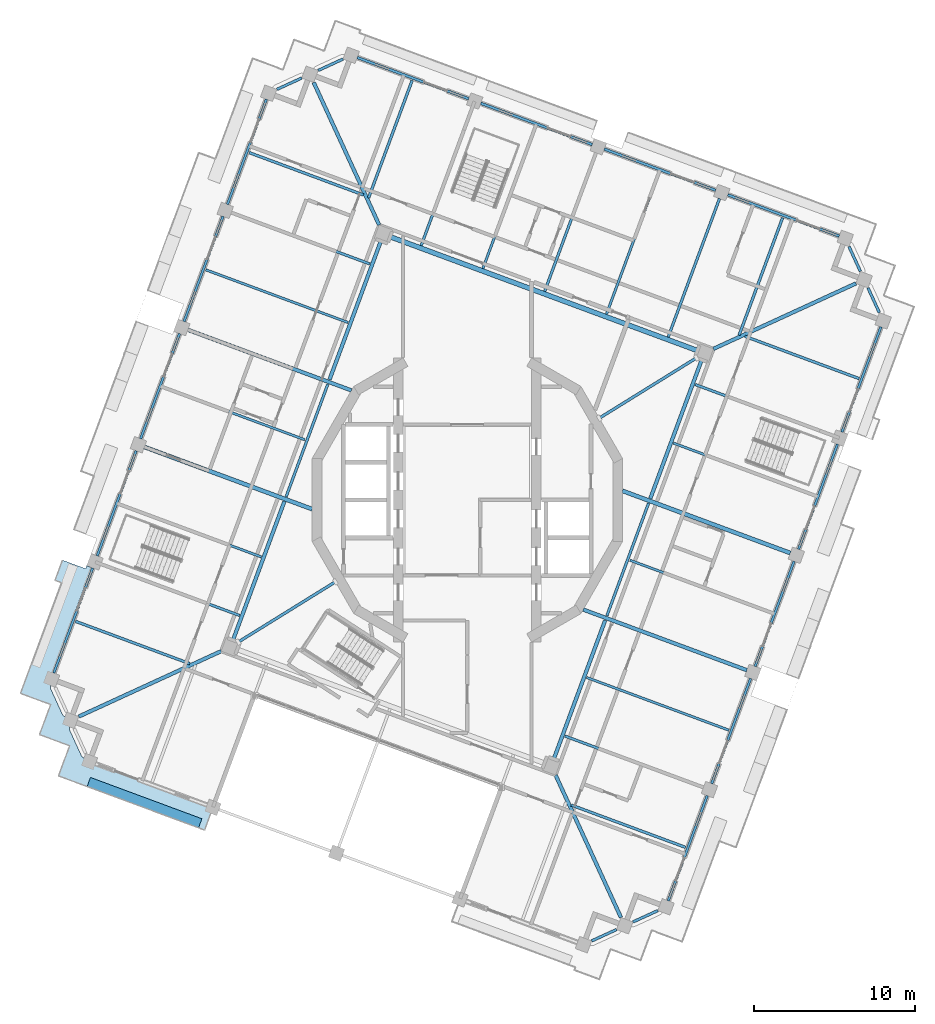
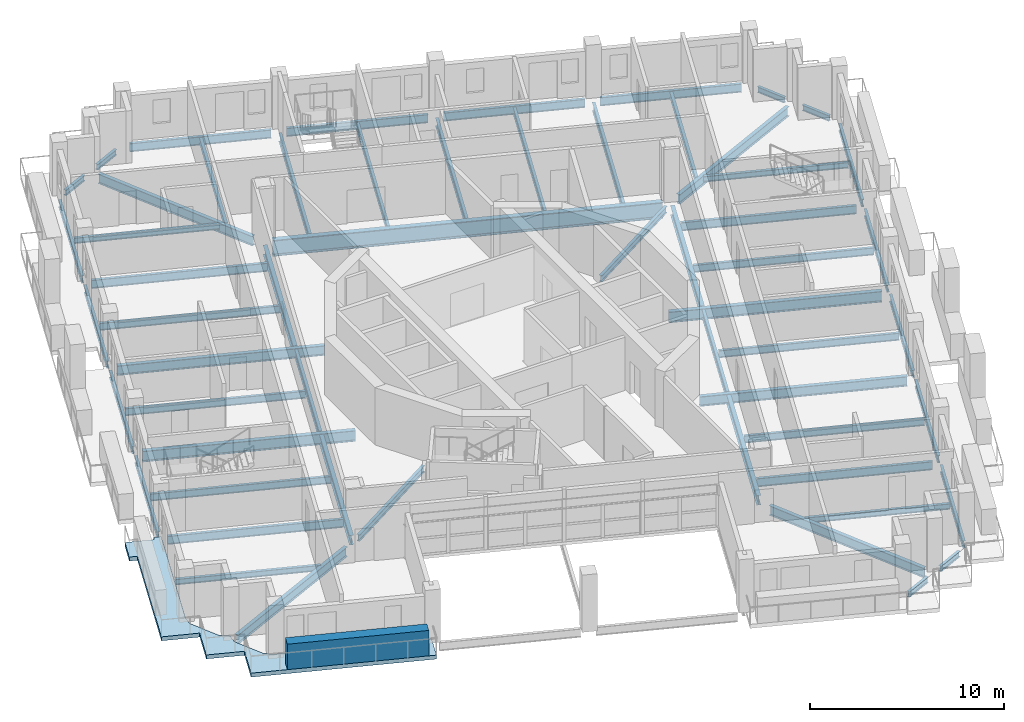
# One storey, part 3 of 19: 58 beams, 1 plate, 1 slab.
"""IFC4 building model written with IfcOpenShell, lengths in metres."""

from ifc_helpers import new_model, si_unit, direction, frame, origin, origin_2d, place, context, subcontext, project, spatial, polyline, rectangle, i_section, outline, extrude, material, layer, layer_set, material_profile, profile_set, type_object, element, save


model = new_model("IFC4")

# Units and contexts
model_context = context("Model", 3, precision=1e-05, world=origin(), true_north=direction((0.0, 1.0)))
body_context = subcontext(model_context, "Body", "Model", "MODEL_VIEW")
ifc_project = project(units=[si_unit("LENGTHUNIT", "METRE"), si_unit("AREAUNIT", "SQUARE_METRE"), si_unit("VOLUMEUNIT", "CUBIC_METRE"), si_unit("PLANEANGLEUNIT", "RADIAN"), si_unit("MASSUNIT", "GRAM", prefix="KILO")], contexts=[model_context])

# Site, building, storey
site_placement = place(None, origin())
site = spatial("IfcSite", under=ifc_project, at=site_placement, CompositionType="ELEMENT")
building_placement = place(site_placement, origin())
building = spatial("IfcBuilding", under=site, at=building_placement, Name="Cantera Rosa Tower", CompositionType="ELEMENT")
storey_placement = place(building_placement, frame((0.0, 0.0, 324.10009765625)))
storey = spatial("IfcBuildingStorey", under=building, at=storey_placement, Name="L72", CompositionType="ELEMENT", Elevation=324.10009765625)

# Beams
ifc_material_1 = material(Name="Steel ASTM A992 (Fy 345 MPa)", Category="steel")
ifc_material_profile_1 = material_profile(ifc_material_1, i_section(OverallWidth=0.302001953125, OverallDepth=1.010009765625, WebThickness=0.02099609375, FlangeThickness=0.0400390625, FilletRadius=0.030029296875, at=origin_2d()), Name="W1000X350")
ifc_profile_set_1 = profile_set([ifc_material_profile_1], Name="Steel ASTM A992 (Fy 345 MPa)")
beam_type_1 = type_object("IfcBeamType", Name="STEEL BEAM W1000X350", PredefinedType="BEAM", material=ifc_profile_set_1)
beam_1_placement = place(storey_placement, frame((14.324951171875, 9.302001953125, -0.755126953125), z_axis=(-0.937687392162, 0.347480006017, 0.0), x_axis=(-0.347480006017, -0.937687392162, 0.0)))
element("IfcBeam", 1, at=beam_1_placement, inside=storey, type_object=beam_type_1, Name="RB-Z6-07 L72", PredefinedType="BEAM", context=body_context, shape_type="SweptSolid", body=[
    extrude(i_section(OverallWidth=0.302001953125, OverallDepth=1.010009765625, WebThickness=0.02099609375, FlangeThickness=0.0400390625, FilletRadius=0.030029296875, at=origin_2d()), origin(), (0.0, 0.0, 1.0), 20.400146484375),
])
ifc_material_2 = material(Name="Steel ASTM A992 (Fy 345 MPa)", Category="steel")
ifc_material_profile_2 = material_profile(ifc_material_2, i_section(OverallWidth=0.177978515625, OverallDepth=0.406005859375, WebThickness=0.0078125, FlangeThickness=0.0126953125, FilletRadius=0.01025390625, at=origin_2d()), Name="W410X60")
ifc_profile_set_2 = profile_set([ifc_material_profile_2], Name="Steel ASTM A992 (Fy 345 MPa)")
beam_type_2 = type_object("IfcBeamType", Name="STEEL BEAM W410X60", PredefinedType="BEAM", material=ifc_profile_set_2)
for number, where, z_axis, x_axis, name in (
    (2, (-14.262451171875, -8.84521484375, -0.453125), (0.849840939707, 0.527039255841, 0.0), (-0.527039255841, 0.849840939707, 0.0), "PG-Z6-01 L72"),
    (3, (14.262451171875, 8.84521484375, -0.453125), (-0.849840939707, -0.527039255841, 0.0), (0.527039255841, -0.849840939707, 0.0), "PG-Z6-02 L72"),
):
    element("IfcBeam", number, at=place(storey_placement, frame(where, z_axis=z_axis, x_axis=x_axis)), inside=storey, type_object=beam_type_2, Name=name, PredefinedType="BEAM", context=body_context, shape_type="SweptSolid", body=[
        extrude(i_section(OverallWidth=0.177978515625, OverallDepth=0.406005859375, WebThickness=0.0078125, FlangeThickness=0.0126953125, FilletRadius=0.01025390625, at=origin_2d()), origin(), (0.0, 0.0, 1.0), 7.118408203125),
    ])
ifc_material_3 = material(Name="Steel ASTM A992 (Fy 345 MPa)", Category="steel")
ifc_material_profile_3 = material_profile(ifc_material_3, i_section(OverallWidth=0.166015625, OverallDepth=0.528076171875, WebThickness=0.009765625, FlangeThickness=0.013671875, FilletRadius=0.0126953125, at=origin_2d()), Name="W530X74")
ifc_profile_set_3 = profile_set([ifc_material_profile_3], Name="Steel ASTM A992 (Fy 345 MPa)")
beam_type_3 = type_object("IfcBeamType", Name="STEEL BEAM W530X74", PredefinedType="BEAM", material=ifc_profile_set_3)
for number, where, z_axis, x_axis, name in (
    (4, (15.698486328125, 18.764404296875, -0.51416015625), (-0.347476838353, -0.937688566, 0.0), (0.937688566, -0.347476838353, 0.0), "G-Z6-01 L72"),
    (5, (8.009521484375, 21.61376953125, -0.51416015625), (-0.34750017104, -0.937679919337, 0.0), (0.937679919337, -0.34750017104, 0.0), "G-Z6-02 L72"),
    (6, (0.3203125, 24.463134765625, -0.51416015625), (-0.347476838353, -0.937688566, 0.0), (0.937688566, -0.347476838353, 0.0), "G-Z6-03 L72"),
    (7, (-14.69873046875, 17.892333984375, -0.51416015625), (0.937688566, -0.347476838353, 0.0), (0.347476838353, 0.937688566, 0.0), "G-Z6-04 L72"),
    (8, (-22.808837890625, -3.9931640625, -0.51416015625), (0.937688566, -0.347476838353, 0.0), (0.347476838353, 0.937688566, 0.0), "G-Z6-07 L72"),
    (9, (14.69873046875, -17.892333984375, -0.51416015625), (-0.937688566, 0.347476838353, 0.0), (-0.347476838353, -0.937688566, 0.0), "G-Z6-08 L72"),
    (10, (22.808837890625, 3.9931640625, -0.51416015625), (-0.937688566, 0.347476838353, 0.0), (-0.347476838353, -0.937688566, 0.0), "G-Z6-11 L72"),
):
    element("IfcBeam", number, at=place(storey_placement, frame(where, z_axis=z_axis, x_axis=x_axis)), inside=storey, type_object=beam_type_3, Name=name, PredefinedType="BEAM", context=body_context, shape_type="SweptSolid", body=[
        extrude(i_section(OverallWidth=0.166015625, OverallDepth=0.528076171875, WebThickness=0.009765625, FlangeThickness=0.013671875, FilletRadius=0.0126953125, at=origin_2d()), origin(), (0.0, 0.0, 1.0), 9.199951171875),
    ])
for number, where, z_axis, x_axis, name in (
    (11, (-11.285888671875, 0.19384765625, -0.51416015625), (0.347486566882, 0.937684960867, 0.0), (-0.937684960867, 0.347486566882, 0.0), "RB-Z6-02 L72"),
    (12, (8.686767578125, -7.20751953125, -0.51416015625), (0.347486566882, 0.937684960867, 0.0), (-0.937684960867, 0.347486566882, 0.0), "RB-Z6-05 L72"),
):
    element("IfcBeam", number, at=place(storey_placement, frame(where, z_axis=z_axis, x_axis=x_axis)), inside=storey, type_object=beam_type_3, Name=name, PredefinedType="BEAM", context=body_context, shape_type="SweptSolid", body=[
        extrude(i_section(OverallWidth=0.166015625, OverallDepth=0.528076171875, WebThickness=0.009765625, FlangeThickness=0.013671875, FilletRadius=0.0126953125, at=origin_2d()), origin(), (0.0, 0.0, 1.0), 7.479736328125),
    ])
ifc_material_4 = material(Name="Steel ASTM A992 (Fy 345 MPa)", Category="steel")
ifc_material_profile_4 = material_profile(ifc_material_4, i_section(OverallWidth=0.22802734375, OverallDepth=0.60205078125, WebThickness=0.010498046875, FlangeThickness=0.014892578125, FilletRadius=0.0126953125, at=origin_2d()), Name="W610X101")
ifc_profile_set_4 = profile_set([ifc_material_profile_4], Name="Steel ASTM A992 (Fy 345 MPa)")
beam_type_4 = type_object("IfcBeamType", Name="STEEL BEAM W610X101", PredefinedType="BEAM", material=ifc_profile_set_4)
for number, where, z_axis, x_axis, name in (
    (13, (-9.56396484375, 25.992919921875, -0.551025390625), (0.417345508131, -0.908747889595, 0.0), (0.908747889595, 0.417345508131, 0.0), "CB-Z6-01 L72"),
    (14, (-24.19287109375, -13.483642578125, -0.551025390625), (0.908747889595, 0.417345508131, 0.0), (-0.417345508131, 0.908747889595, 0.0), "CB-Z6-02 L72"),
    (15, (9.56396484375, -25.992919921875, -0.551025390625), (-0.417345508131, 0.908747889595, 0.0), (-0.908747889595, -0.417345508131, 0.0), "CB-Z6-03 L72"),
    (16, (24.19287109375, 13.483642578125, -0.551025390625), (-0.908747889595, -0.417345508131, 0.0), (0.417345508131, -0.908747889595, 0.0), "CB-Z6-04 L72"),
):
    element("IfcBeam", number, at=place(storey_placement, frame(where, z_axis=z_axis, x_axis=x_axis)), inside=storey, type_object=beam_type_4, Name=name, PredefinedType="BEAM", context=body_context, shape_type="SweptSolid", body=[
        extrude(i_section(OverallWidth=0.22802734375, OverallDepth=0.60205078125, WebThickness=0.010498046875, FlangeThickness=0.014892578125, FilletRadius=0.0126953125, at=origin_2d()), origin(), (0.0, 0.0, 1.0), 9.758056640625),
    ])
for number, where, z_axis, x_axis, name in (
    (17, (-14.590576171875, -8.7236328125, -0.551025390625), (0.347498244979, 0.937680633125, 0.0), (-0.937680633125, 0.347498244979, 0.0), "RB-Z6-01 L72"),
    (18, (-8.58251953125, 7.489013671875, -0.551025390625), (0.347474937304, 0.937689270465, 0.0), (-0.937689270465, 0.347474937304, 0.0), "RB-Z6-03 L72"),
    (19, (5.38232421875, -16.125, -0.551025390625), (0.347474937304, 0.937689270465, 0.0), (-0.937689270465, 0.347474937304, 0.0), "RB-Z6-04 L72"),
    (20, (11.39013671875, 0.087646484375, -0.551025390625), (0.347498244979, 0.937680633125, 0.0), (-0.937680633125, 0.347498244979, 0.0), "RB-Z6-06 L72"),
):
    element("IfcBeam", number, at=place(storey_placement, frame(where, z_axis=z_axis, x_axis=x_axis)), inside=storey, type_object=beam_type_4, Name=name, PredefinedType="BEAM", context=body_context, shape_type="SweptSolid", body=[
        extrude(i_section(OverallWidth=0.22802734375, OverallDepth=0.60205078125, WebThickness=0.010498046875, FlangeThickness=0.014892578125, FilletRadius=0.0126953125, at=origin_2d()), origin(), (0.0, 0.0, 1.0), 9.2099609375),
    ])
ifc_material_5 = material(Name="Steel ASTM A992 (Fy 345 MPa)", Category="steel")
ifc_material_profile_5 = material_profile(ifc_material_5, i_section(OverallWidth=0.22900390625, OverallDepth=0.612060546875, WebThickness=0.011962890625, FlangeThickness=0.01953125, FilletRadius=0.0126953125, at=origin_2d()), Name="W610X125")
ifc_profile_set_5 = profile_set([ifc_material_profile_5], Name="Steel ASTM A992 (Fy 345 MPa)")
beam_type_5 = type_object("IfcBeamType", Name="STEEL BEAM W610X125", PredefinedType="BEAM", material=ifc_profile_set_5)
for number, where, z_axis, x_axis, name in (
    (21, (-17.402099609375, 10.59716796875, -0.55615234375), (0.937686127687, -0.347483418229, 0.0), (0.347483418229, 0.937686127687, 0.0), "G-Z6-05 L72"),
    (22, (17.402099609375, -10.59716796875, -0.55615234375), (-0.937686127687, 0.347483418229, 0.0), (-0.347483418229, -0.937686127687, 0.0), "G-Z6-09 L72"),
):
    element("IfcBeam", number, at=place(storey_placement, frame(where, z_axis=z_axis, x_axis=x_axis)), inside=storey, type_object=beam_type_5, Name=name, PredefinedType="BEAM", context=body_context, shape_type="SweptSolid", body=[
        extrude(i_section(OverallWidth=0.22900390625, OverallDepth=0.612060546875, WebThickness=0.011962890625, FlangeThickness=0.01953125, FilletRadius=0.0126953125, at=origin_2d()), origin(), (0.0, 0.0, 1.0), 10.8642578125),
    ])
ifc_material_6 = material(Name="Steel ASTM A992 (Fy 345 MPa)", Category="steel")
ifc_material_profile_6 = material_profile(ifc_material_6, i_section(OverallWidth=0.25390625, OverallDepth=0.677978515625, WebThickness=0.01171875, FlangeThickness=0.016357421875, FilletRadius=0.01513671875, at=origin_2d()), Name="W690X125")
ifc_profile_set_6 = profile_set([ifc_material_profile_6], Name="Steel ASTM A992 (Fy 345 MPa)")
beam_type_6 = type_object("IfcBeamType", Name="STEEL BEAM W690X125", PredefinedType="BEAM", material=ifc_profile_set_6)
for number, where, z_axis, x_axis, name in (
    (23, (-20.10546875, 3.302001953125, -0.589111328125), (0.937687416585, -0.347479940109, 0.0), (0.347479940109, 0.937687416585, 0.0), "G-Z6-06 L72"),
    (24, (20.10546875, -3.302001953125, -0.589111328125), (-0.937687416585, 0.347479940109, 0.0), (-0.347479940109, -0.937687416585, 0.0), "G-Z6-10 L72"),
):
    element("IfcBeam", number, at=place(storey_placement, frame(where, z_axis=z_axis, x_axis=x_axis)), inside=storey, type_object=beam_type_6, Name=name, PredefinedType="BEAM", context=body_context, shape_type="SweptSolid", body=[
        extrude(i_section(OverallWidth=0.25390625, OverallDepth=0.677978515625, WebThickness=0.01171875, FlangeThickness=0.016357421875, FilletRadius=0.01513671875, at=origin_2d()), origin(), (0.0, 0.0, 1.0), 11.140380859375),
    ])
ifc_material_7 = material(Name="Steel ASTM A992 (Fy 345 MPa)", Category="steel")
ifc_material_profile_7 = material_profile(ifc_material_7, i_section(OverallWidth=0.1708984375, OverallDepth=0.35595703125, WebThickness=0.00732421875, FlangeThickness=0.01171875, FilletRadius=0.010009765625, at=origin_2d()), Name="W360X51")
ifc_profile_set_7 = profile_set([ifc_material_profile_7], Name="Steel ASTM A992 (Fy 345 MPa)")
beam_type_7 = type_object("IfcBeamType", Name="STEEL JOIST W360X51", PredefinedType="JOIST", material=ifc_profile_set_7)
for number, where, z_axis, x_axis, name in (
    (25, (19.6298828125, 17.573974609375, -0.427978515625), (-0.347491728417, -0.937683048093, 0.0), (0.937683048093, -0.347491728417, 0.0), "B-Z6-01 L72"),
    (26, (-3.437255859375, 26.1220703125, -0.427978515625), (-0.347491728417, -0.937683048093, 0.0), (0.937683048093, -0.347491728417, 0.0), "B-Z6-04 L72"),
):
    element("IfcBeam", number, at=place(storey_placement, frame(where, z_axis=z_axis, x_axis=x_axis)), inside=storey, type_object=beam_type_7, Name=name, PredefinedType="JOIST", context=body_context, shape_type="SweptSolid", body=[
        extrude(i_section(OverallWidth=0.1708984375, OverallDepth=0.35595703125, WebThickness=0.00732421875, FlangeThickness=0.01171875, FilletRadius=0.010009765625, at=origin_2d()), origin(), (0.0, 0.0, 1.0), 7.800048828125),
    ])
beam_2_placement = place(storey_placement, frame((-13.581298828125, 21.626953125, -0.427978515625), z_axis=(0.93768239316, -0.347493495705, 0.0), x_axis=(0.347493495705, 0.93768239316, 0.0)))
element("IfcBeam", 27, at=beam_2_placement, inside=storey, type_object=beam_type_7, Name="B-Z6-05 L72", PredefinedType="JOIST", context=body_context, shape_type="SweptSolid", body=[
    extrude(i_section(OverallWidth=0.1708984375, OverallDepth=0.35595703125, WebThickness=0.00732421875, FlangeThickness=0.01171875, FilletRadius=0.010009765625, at=origin_2d()), origin(), (0.0, 0.0, 1.0), 7.58984375),
])
beam_3_placement = place(storey_placement, frame((-24.39501953125, -7.553955078125, -0.427978515625), z_axis=(0.937686277131, -0.347483014951, 0.0), x_axis=(0.347483014951, 0.937686277131, 0.0)))
element("IfcBeam", 28, at=beam_3_placement, inside=storey, type_object=beam_type_7, Name="B-Z6-09 L72", PredefinedType="JOIST", context=body_context, shape_type="SweptSolid", body=[
    extrude(i_section(OverallWidth=0.1708984375, OverallDepth=0.35595703125, WebThickness=0.00732421875, FlangeThickness=0.01171875, FilletRadius=0.010009765625, at=origin_2d()), origin(), (0.0, 0.0, 1.0), 7.590087890625),
])
beam_4_placement = place(storey_placement, frame((13.581298828125, -21.626953125, -0.427978515625), z_axis=(-0.93768239316, 0.347493495705, 0.0), x_axis=(-0.347493495705, -0.93768239316, 0.0)))
element("IfcBeam", 29, at=beam_4_placement, inside=storey, type_object=beam_type_7, Name="B-Z6-10 L72", PredefinedType="JOIST", context=body_context, shape_type="SweptSolid", body=[
    extrude(i_section(OverallWidth=0.1708984375, OverallDepth=0.35595703125, WebThickness=0.00732421875, FlangeThickness=0.01171875, FilletRadius=0.010009765625, at=origin_2d()), origin(), (0.0, 0.0, 1.0), 7.58984375),
])
beam_5_placement = place(storey_placement, frame((24.39501953125, 7.553955078125, -0.427978515625), z_axis=(-0.937686277131, 0.347483014951, 0.0), x_axis=(-0.347483014951, -0.937686277131, 0.0)))
element("IfcBeam", 30, at=beam_5_placement, inside=storey, type_object=beam_type_7, Name="B-Z6-14 L72", PredefinedType="JOIST", context=body_context, shape_type="SweptSolid", body=[
    extrude(i_section(OverallWidth=0.1708984375, OverallDepth=0.35595703125, WebThickness=0.00732421875, FlangeThickness=0.01171875, FilletRadius=0.010009765625, at=origin_2d()), origin(), (0.0, 0.0, 1.0), 7.590087890625),
])
ifc_material_8 = material(Name="Steel ASTM A992 (Fy 345 MPa)", Category="steel")
ifc_material_profile_8 = material_profile(ifc_material_8, i_section(OverallWidth=0.154052734375, OverallDepth=0.4599609375, WebThickness=0.009033203125, FlangeThickness=0.015380859375, FilletRadius=0.01025390625, at=origin_2d()), Name="W460X68")
ifc_profile_set_8 = profile_set([ifc_material_profile_8], Name="Steel ASTM A992 (Fy 345 MPa)")
beam_type_8 = type_object("IfcBeamType", Name="STEEL JOIST W460X68", PredefinedType="JOIST", material=ifc_profile_set_8)
for number, where, z_axis, x_axis, name in (
    (31, (11.94091796875, 20.42333984375, -0.47998046875), (-0.347482637031, -0.937686417179, 0.0), (0.937686417179, -0.347482637031, 0.0), "B-Z6-02 L72"),
    (32, (4.251708984375, 23.272705078125, -0.47998046875), (-0.347482637031, -0.937686417179, 0.0), (0.937686417179, -0.347482637031, 0.0), "B-Z6-03 L72"),
    (33, (-16.28466796875, 14.331787109375, -0.47998046875), (0.937686417179, -0.347482637031, 0.0), (0.347482637031, 0.937686417179, 0.0), "B-Z6-06 L72"),
):
    element("IfcBeam", number, at=place(storey_placement, frame(where, z_axis=z_axis, x_axis=x_axis)), inside=storey, type_object=beam_type_8, Name=name, PredefinedType="JOIST", context=body_context, shape_type="SweptSolid", body=[
        extrude(i_section(OverallWidth=0.154052734375, OverallDepth=0.4599609375, WebThickness=0.009033203125, FlangeThickness=0.015380859375, FilletRadius=0.01025390625, at=origin_2d()), origin(), (0.0, 0.0, 1.0), 9.449951171875),
    ])
for number, where, z_axis, x_axis, name in (
    (34, (-18.98828125, 7.036376953125, -0.47998046875), (0.937689536508, -0.347474219364, 0.0), (0.347474219364, 0.937689536508, 0.0), "B-Z6-07 L72"),
    (35, (-21.691650390625, -0.2587890625, -0.47998046875), (0.937689536508, -0.347474219364, 0.0), (0.347474219364, 0.937689536508, 0.0), "B-Z6-08 L72"),
):
    element("IfcBeam", number, at=place(storey_placement, frame(where, z_axis=z_axis, x_axis=x_axis)), inside=storey, type_object=beam_type_8, Name=name, PredefinedType="JOIST", context=body_context, shape_type="SweptSolid", body=[
        extrude(i_section(OverallWidth=0.154052734375, OverallDepth=0.4599609375, WebThickness=0.009033203125, FlangeThickness=0.015380859375, FilletRadius=0.01025390625, at=origin_2d()), origin(), (0.0, 0.0, 1.0), 9.4501953125),
    ])
beam_6_placement = place(storey_placement, frame((16.28466796875, -14.331787109375, -0.47998046875), z_axis=(-0.937686417179, 0.347482637031, 0.0), x_axis=(-0.347482637031, -0.937686417179, 0.0)))
element("IfcBeam", 36, at=beam_6_placement, inside=storey, type_object=beam_type_8, Name="B-Z6-11 L72", PredefinedType="JOIST", context=body_context, shape_type="SweptSolid", body=[
    extrude(i_section(OverallWidth=0.154052734375, OverallDepth=0.4599609375, WebThickness=0.009033203125, FlangeThickness=0.015380859375, FilletRadius=0.01025390625, at=origin_2d()), origin(), (0.0, 0.0, 1.0), 9.449951171875),
])
for number, where, z_axis, x_axis, name in (
    (37, (18.98828125, -7.036376953125, -0.47998046875), (-0.937689536508, 0.347474219364, 0.0), (-0.347474219364, -0.937689536508, 0.0), "B-Z6-12 L72"),
    (38, (21.691650390625, 0.2587890625, -0.47998046875), (-0.937689536508, 0.347474219364, 0.0), (-0.347474219364, -0.937689536508, 0.0), "B-Z6-13 L72"),
):
    element("IfcBeam", number, at=place(storey_placement, frame(where, z_axis=z_axis, x_axis=x_axis)), inside=storey, type_object=beam_type_8, Name=name, PredefinedType="JOIST", context=body_context, shape_type="SweptSolid", body=[
        extrude(i_section(OverallWidth=0.154052734375, OverallDepth=0.4599609375, WebThickness=0.009033203125, FlangeThickness=0.015380859375, FilletRadius=0.01025390625, at=origin_2d()), origin(), (0.0, 0.0, 1.0), 9.4501953125),
    ])
ifc_material_9 = material(Name="Steel ASTM A992 (Fy 345 MPa)", Category="steel")
ifc_material_profile_9 = material_profile(ifc_material_9, i_section(OverallWidth=0.1708984375, OverallDepth=0.35595703125, WebThickness=0.00732421875, FlangeThickness=0.01171875, FilletRadius=0.010009765625, at=origin_2d()), Name="W360X51")
ifc_profile_set_9 = profile_set([ifc_material_profile_9], Name="Steel ASTM A992 (Fy 345 MPa)")
beam_type_9 = type_object("IfcBeamType", Name="STEEL SPANDREL BEAM W360X51", PredefinedType="SPANDREL", material=ifc_profile_set_9)
for number, where, z_axis, x_axis, name in (
    (39, (-7.74365234375, 27.451416015625, -0.427978515625), (-0.908753529973, -0.417333226286, 0.0), (0.417333226286, -0.908753529973, 0.0), "EB-Z6-05 L72"),
    (40, (-10.31396484375, 26.27099609375, -0.427978515625), (-0.908753529973, -0.417333226286, 0.0), (0.417333226286, -0.908753529973, 0.0), "EB-Z6-06 L72"),
    (41, (7.74365234375, -27.451416015625, -0.427978515625), (0.908753529973, 0.417333226286, 0.0), (-0.417333226286, 0.908753529973, 0.0), "EB-Z6-18 L72"),
    (42, (10.31396484375, -26.27099609375, -0.427978515625), (0.908753529973, 0.417333226286, 0.0), (-0.417333226286, 0.908753529973, 0.0), "EB-Z6-19 L72"),
):
    element("IfcBeam", number, at=place(storey_placement, frame(where, z_axis=z_axis, x_axis=x_axis)), inside=storey, type_object=beam_type_9, Name=name, PredefinedType="SPANDREL", context=body_context, shape_type="SweptSolid", body=[
        extrude(i_section(OverallWidth=0.1708984375, OverallDepth=0.35595703125, WebThickness=0.00732421875, FlangeThickness=0.01171875, FilletRadius=0.010009765625, at=origin_2d()), origin(), (0.0, 0.0, 1.0), 1.697021484375),
    ])
for number, where, z_axis, x_axis, name in (
    (43, (25.651123046875, 11.66357421875, -0.427978515625), (-0.417268968709, 0.908783036677, 0.0), (-0.908783036677, -0.417268968709, 0.0), "EB-Z6-25 L72"),
    (44, (24.470947265625, 14.23388671875, -0.427978515625), (-0.417387791404, 0.908728469669, 0.0), (-0.908728469669, -0.417387791404, 0.0), "EB-Z6-26 L72"),
):
    element("IfcBeam", number, at=place(storey_placement, frame(where, z_axis=z_axis, x_axis=x_axis)), inside=storey, type_object=beam_type_9, Name=name, PredefinedType="SPANDREL", context=body_context, shape_type="SweptSolid", body=[
        extrude(i_section(OverallWidth=0.1708984375, OverallDepth=0.35595703125, WebThickness=0.00732421875, FlangeThickness=0.01171875, FilletRadius=0.010009765625, at=origin_2d()), origin(), (0.0, 0.0, 1.0), 1.69677734375),
    ])
ifc_material_10 = material(Name="Steel ASTM A992 (Fy 345 MPa)", Category="steel")
ifc_material_profile_10 = material_profile(ifc_material_10, i_section(OverallWidth=0.154052734375, OverallDepth=0.4599609375, WebThickness=0.009033203125, FlangeThickness=0.015380859375, FilletRadius=0.01025390625, at=origin_2d()), Name="W460X68")
ifc_profile_set_10 = profile_set([ifc_material_profile_10], Name="Steel ASTM A992 (Fy 345 MPa)")
beam_type_10 = type_object("IfcBeamType", Name="STEEL SPANDREL BEAM W460X68", PredefinedType="SPANDREL", material=ifc_profile_set_10)
beam_7_placement = place(storey_placement, frame((-12.50927734375, 24.95166015625, -0.47998046875), z_axis=(-0.347490919506, -0.937683347864, 0.0), x_axis=(0.937683347864, -0.347490919506, 0.0)))
element("IfcBeam", 45, at=beam_7_placement, inside=storey, type_object=beam_type_10, Name="EB-Z6-07 L72", PredefinedType="SPANDREL", context=body_context, shape_type="SweptSolid", body=[
    extrude(i_section(OverallWidth=0.154052734375, OverallDepth=0.4599609375, WebThickness=0.009033203125, FlangeThickness=0.015380859375, FilletRadius=0.01025390625, at=origin_2d()), origin(), (0.0, 0.0, 1.0), 6.980224609375),
])
for number, where, z_axis, x_axis, name in (
    (46, (-15.212646484375, 17.65625, -0.47998046875), (-0.347502316452, -0.937679124253, 0.0), (0.937679124253, -0.347502316452, 0.0), "EB-Z6-08 L72"),
    (47, (-17.916015625, 10.361083984375, -0.47998046875), (-0.347502316452, -0.937679124253, 0.0), (0.937679124253, -0.347502316452, 0.0), "EB-Z6-09 L72"),
):
    element("IfcBeam", number, at=place(storey_placement, frame(where, z_axis=z_axis, x_axis=x_axis)), inside=storey, type_object=beam_type_10, Name=name, PredefinedType="SPANDREL", context=body_context, shape_type="SweptSolid", body=[
        extrude(i_section(OverallWidth=0.154052734375, OverallDepth=0.4599609375, WebThickness=0.009033203125, FlangeThickness=0.015380859375, FilletRadius=0.01025390625, at=origin_2d()), origin(), (0.0, 0.0, 1.0), 6.97998046875),
    ])
beam_8_placement = place(storey_placement, frame((-20.61962890625, 3.06591796875, -0.47998046875), z_axis=(-0.347471562124, -0.937690521182, 0.0), x_axis=(0.937690521182, -0.347471562124, 0.0)))
element("IfcBeam", 48, at=beam_8_placement, inside=storey, type_object=beam_type_10, Name="EB-Z6-10 L72", PredefinedType="SPANDREL", context=body_context, shape_type="SweptSolid", body=[
    extrude(i_section(OverallWidth=0.154052734375, OverallDepth=0.4599609375, WebThickness=0.009033203125, FlangeThickness=0.015380859375, FilletRadius=0.01025390625, at=origin_2d()), origin(), (0.0, 0.0, 1.0), 6.979736328125),
])
beam_9_placement = place(storey_placement, frame((-23.322998046875, -4.229248046875, -0.47998046875), z_axis=(-0.347460165909, -0.937694744097, 0.0), x_axis=(0.937694744097, -0.347460165909, 0.0)))
element("IfcBeam", 49, at=beam_9_placement, inside=storey, type_object=beam_type_10, Name="EB-Z6-11 L72", PredefinedType="SPANDREL", context=body_context, shape_type="SweptSolid", body=[
    extrude(i_section(OverallWidth=0.154052734375, OverallDepth=0.4599609375, WebThickness=0.009033203125, FlangeThickness=0.015380859375, FilletRadius=0.01025390625, at=origin_2d()), origin(), (0.0, 0.0, 1.0), 6.97998046875),
])
beam_10_placement = place(storey_placement, frame((12.50927734375, -24.95166015625, -0.47998046875), z_axis=(0.347490919506, 0.937683347864, 0.0), x_axis=(-0.937683347864, 0.347490919506, 0.0)))
element("IfcBeam", 50, at=beam_10_placement, inside=storey, type_object=beam_type_10, Name="EB-Z6-20 L72", PredefinedType="SPANDREL", context=body_context, shape_type="SweptSolid", body=[
    extrude(i_section(OverallWidth=0.154052734375, OverallDepth=0.4599609375, WebThickness=0.009033203125, FlangeThickness=0.015380859375, FilletRadius=0.01025390625, at=origin_2d()), origin(), (0.0, 0.0, 1.0), 6.980224609375),
])
for number, where, z_axis, x_axis, name in (
    (51, (15.212646484375, -17.65625, -0.47998046875), (0.347502316452, 0.937679124253, 0.0), (-0.937679124253, 0.347502316452, 0.0), "EB-Z6-21 L72"),
    (52, (17.916015625, -10.361083984375, -0.47998046875), (0.347502316452, 0.937679124253, 0.0), (-0.937679124253, 0.347502316452, 0.0), "EB-Z6-22 L72"),
):
    element("IfcBeam", number, at=place(storey_placement, frame(where, z_axis=z_axis, x_axis=x_axis)), inside=storey, type_object=beam_type_10, Name=name, PredefinedType="SPANDREL", context=body_context, shape_type="SweptSolid", body=[
        extrude(i_section(OverallWidth=0.154052734375, OverallDepth=0.4599609375, WebThickness=0.009033203125, FlangeThickness=0.015380859375, FilletRadius=0.01025390625, at=origin_2d()), origin(), (0.0, 0.0, 1.0), 6.97998046875),
    ])
beam_11_placement = place(storey_placement, frame((20.61962890625, -3.06591796875, -0.47998046875), z_axis=(0.347471562124, 0.937690521182, 0.0), x_axis=(-0.937690521182, 0.347471562124, 0.0)))
element("IfcBeam", 53, at=beam_11_placement, inside=storey, type_object=beam_type_10, Name="EB-Z6-23 L72", PredefinedType="SPANDREL", context=body_context, shape_type="SweptSolid", body=[
    extrude(i_section(OverallWidth=0.154052734375, OverallDepth=0.4599609375, WebThickness=0.009033203125, FlangeThickness=0.015380859375, FilletRadius=0.01025390625, at=origin_2d()), origin(), (0.0, 0.0, 1.0), 6.979736328125),
])
beam_12_placement = place(storey_placement, frame((23.322998046875, 4.229248046875, -0.47998046875), z_axis=(0.347460165909, 0.937694744097, 0.0), x_axis=(-0.937694744097, 0.347460165909, 0.0)))
element("IfcBeam", 54, at=beam_12_placement, inside=storey, type_object=beam_type_10, Name="EB-Z6-24 L72", PredefinedType="SPANDREL", context=body_context, shape_type="SweptSolid", body=[
    extrude(i_section(OverallWidth=0.154052734375, OverallDepth=0.4599609375, WebThickness=0.009033203125, FlangeThickness=0.015380859375, FilletRadius=0.01025390625, at=origin_2d()), origin(), (0.0, 0.0, 1.0), 6.97998046875),
])
ifc_material_11 = material(Name="Steel ASTM A992 (Fy 345 MPa)", Category="steel")
ifc_material_profile_11 = material_profile(ifc_material_11, i_section(OverallWidth=0.166015625, OverallDepth=0.528076171875, WebThickness=0.009765625, FlangeThickness=0.013671875, FilletRadius=0.0126953125, at=origin_2d()), Name="W530X74")
ifc_profile_set_11 = profile_set([ifc_material_profile_11], Name="Steel ASTM A992 (Fy 345 MPa)")
beam_type_11 = type_object("IfcBeamType", Name="STEEL SPANDREL BEAM W530X74", PredefinedType="SPANDREL", material=ifc_profile_set_11)
beam_13_placement = place(storey_placement, frame((23.1513671875, 16.428955078125, -0.51416015625), z_axis=(-0.937676706507, 0.347508840281, 0.0), x_axis=(-0.347508840281, -0.937676706507, 0.0)))
element("IfcBeam", 55, at=beam_13_placement, inside=storey, type_object=beam_type_11, Name="EB-Z6-01 L72", PredefinedType="SPANDREL", context=body_context, shape_type="SweptSolid", body=[
    extrude(i_section(OverallWidth=0.166015625, OverallDepth=0.528076171875, WebThickness=0.009765625, FlangeThickness=0.013671875, FilletRadius=0.0126953125, at=origin_2d()), origin(), (0.0, 0.0, 1.0), 7.39990234375),
])
for number, where, z_axis, x_axis, name in (
    (56, (15.46240234375, 19.2783203125, -0.51416015625), (-0.937680690562, 0.34749808999, 0.0), (-0.34749808999, -0.937680690562, 0.0), "EB-Z6-02 L72"),
    (57, (7.7734375, 22.127685546875, -0.51416015625), (-0.937680690562, 0.34749808999, 0.0), (-0.34749808999, -0.937680690562, 0.0), "EB-Z6-03 L72"),
):
    element("IfcBeam", number, at=place(storey_placement, frame(where, z_axis=z_axis, x_axis=x_axis)), inside=storey, type_object=beam_type_11, Name=name, PredefinedType="SPANDREL", context=body_context, shape_type="SweptSolid", body=[
        extrude(i_section(OverallWidth=0.166015625, OverallDepth=0.528076171875, WebThickness=0.009765625, FlangeThickness=0.013671875, FilletRadius=0.0126953125, at=origin_2d()), origin(), (0.0, 0.0, 1.0), 7.400146484375),
    ])
beam_14_placement = place(storey_placement, frame((0.084228515625, 24.97705078125, -0.51416015625), z_axis=(-0.937687456783, 0.347479831633, 0.0), x_axis=(-0.347479831633, -0.937687456783, 0.0)))
element("IfcBeam", 58, at=beam_14_placement, inside=storey, type_object=beam_type_11, Name="EB-Z6-04 L72", PredefinedType="SPANDREL", context=body_context, shape_type="SweptSolid", body=[
    extrude(i_section(OverallWidth=0.166015625, OverallDepth=0.528076171875, WebThickness=0.009765625, FlangeThickness=0.013671875, FilletRadius=0.0126953125, at=origin_2d()), origin(), (0.0, 0.0, 1.0), 7.39990234375),
])

# Slab
ifc_material_12 = material(Name="Concrete C35/45", Category="concrete")
ifc_layer = layer(ifc_material_12, 0.25)
ifc_layer_set = layer_set([ifc_layer], Name="LOGGIA SLAB 250 C35/45")
slab_type = type_object("IfcSlabType", Name="LOGGIA SLAB 250 C35/45", PredefinedType="FLOOR", material=ifc_layer_set)
slab_placement = place(storey_placement, frame((0.0, 0.0, -0.25)))
element("IfcSlab", 59, at=slab_placement, inside=storey, type_object=slab_type, Name="LOGGIA SLAB L72 1", PredefinedType="FLOOR", context=body_context, shape_type="SweptSolid", body=[
    extrude(outline(polyline([(-24.047607421875, -17.696533203125), (-25.454345703125, -17.17529296875), (-24.93310546875, -15.768798828125), (-24.75927734375, -15.300048828125), (-25.22802734375, -15.126220703125), (-26.634765625, -14.60498046875), (-26.11328125, -13.198486328125), (-25.939697265625, -12.729736328125), (-26.408447265625, -12.555908203125), (-26.410400390625, -12.561279296875), (-27.822509765625, -12.0380859375), (-25.268310546875, -5.145751953125), (-25.671142578125, -4.996337890625), (-25.20703125, -3.744384765625), (-23.767578125, -4.27783203125), (-23.697998046875, -4.09033203125), (-23.322998046875, -4.229248046875), (-25.88720703125, -11.1494140625), (-25.947509765625, -11.6162109375), (-25.95068359375, -11.6455078125), (-25.950927734375, -11.6748046875), (-25.948486328125, -11.7041015625), (-25.943115234375, -11.733154296875), (-25.934814453125, -11.76123046875), (-25.923828125, -11.788818359375), (-25.215576171875, -13.330810546875), (-25.201904296875, -13.35693359375), (-25.18603515625, -13.381591796875), (-25.16748046875, -13.404541015625), (-25.14697265625, -13.42578125), (-25.12451171875, -13.444580078125), (-25.10009765625, -13.461181640625), (-24.706787109375, -13.7197265625), (-24.76708984375, -14.186279296875), (-24.770263671875, -14.2158203125), (-24.7705078125, -14.2451171875), (-24.76806640625, -14.2744140625), (-24.7626953125, -14.303466796875), (-24.75439453125, -14.331787109375), (-24.743408203125, -14.35888671875), (-24.03515625, -15.901123046875), (-24.021484375, -15.92724609375), (-24.005615234375, -15.951904296875), (-23.987060546875, -15.974853515625), (-23.966552734375, -15.99609375), (-23.944091796875, -16.014892578125), (-23.919677734375, -16.031494140625), (-23.526611328125, -16.2900390625), (-15.83740234375, -19.139404296875), (-16.358642578125, -20.5458984375), (-17.76513671875, -20.024658203125), (-24.047607421875, -17.696533203125)])), origin(), (0.0, 0.0, 1.0), 0.25),
])

# Plate
ifc_material_13 = material(Name="Cantera stone planter with soil", Category="masonry")
plate_type = type_object("IfcPlateType", Name="PLANTER 600", PredefinedType="USERDEFINED", material=ifc_material_13)
plate_placement = place(storey_placement, frame((-20.098876953125, -18.83984375, -0.000244140625), z_axis=(0.0, 0.0, 1.0), x_axis=(0.937686936924, -0.347481234489, 0.0)))
element("IfcPlate", 60, at=plate_placement, inside=storey, type_object=plate_type, Name="PLANTER L72-10", ObjectType="PLANTER", PredefinedType="USERDEFINED", context=body_context, shape_type="SweptSolid", body=[
    extrude(rectangle(XDim=7.39990234375, YDim=0.60009765625, at=origin_2d()), origin(), (0.0, 0.0, 1.0), 1.60009765625),
])

save(model, "model.ifc")
